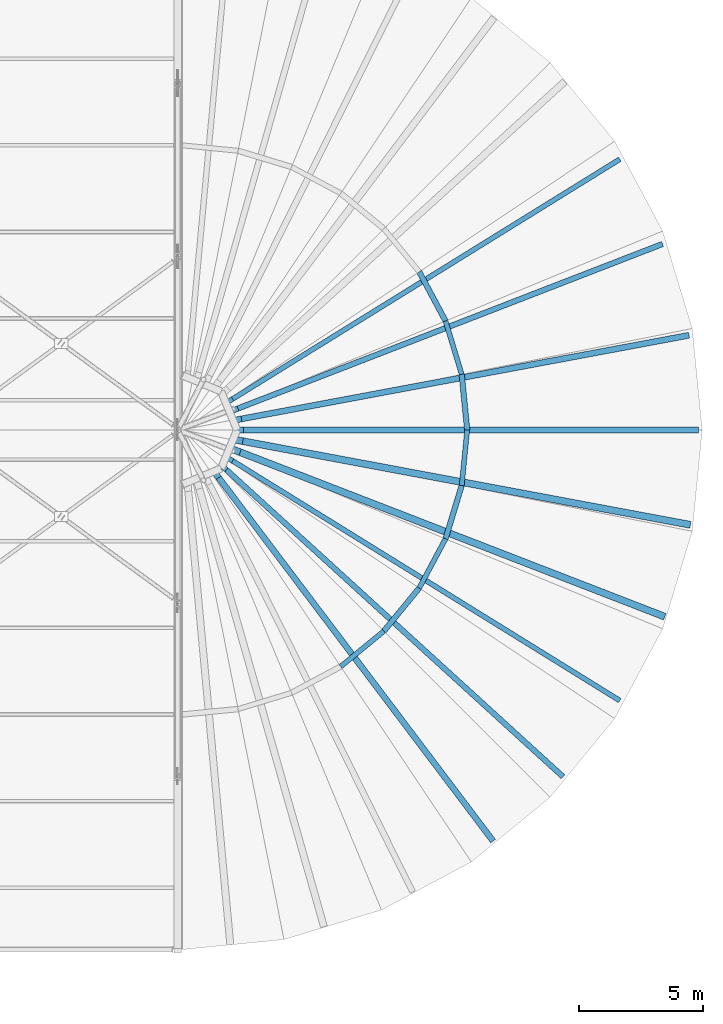
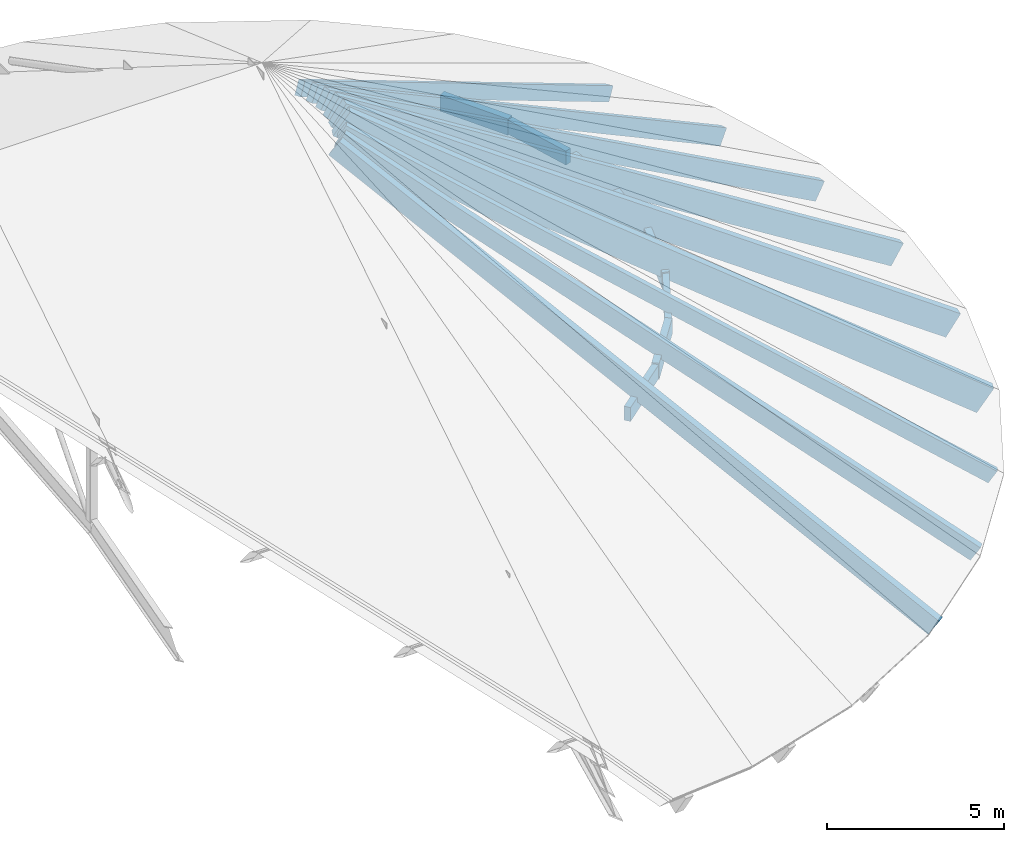
# One storey, part 17 of 66: 9 members, 8 beams.
"""IFC4 building model written with IfcOpenShell, lengths in metres."""

import ifcopenshell
import ifcopenshell.guid

model = None  # the IFC model being written
_history = None  # IfcOwnerHistory: only IFC2X3 demands one
_inside = {}  # id of a spatial element -> (the spatial element, [elements in it])
_under = {}  # id of a project, library or spatial element -> (it, [spatial elements below it])
_declared = {}  # id of a project -> (the project, [libraries it declares])
_typed = {}  # id of a type object -> (the type object, [elements of that type])
_made_of = {}  # id of a material, layer set ... -> (it, [elements and type objects made of it])


def new_model(schema):
    """Start an empty IFC model of exactly this schema.

    Asked for "IFC4X3", IfcOpenShell would pick the latest addendum, in which some entities
    have other attributes; the version numbers below select the first issue.
    IFC2X3 requires an IfcOwnerHistory on every rooted entity: one is made here for all.
    """
    global model, _history
    if schema == "IFC4X3":
        model = ifcopenshell.file(schema_version=(4, 3, 0, 0))
    else:
        model = ifcopenshell.file(schema=schema)
    _inside.clear()
    _under.clear()
    _declared.clear()
    _typed.clear()
    _made_of.clear()
    _history = None
    if model.schema == "IFC2X3":
        org = make("IfcOrganization", Name="unknown")
        user = make(
            "IfcPersonAndOrganization",
            ThePerson=make("IfcPerson", FamilyName="unknown"),
            TheOrganization=org,
        )
        app = make(
            "IfcApplication",
            ApplicationDeveloper=org,
            Version="unknown",
            ApplicationFullName="unknown",
            ApplicationIdentifier="unknown",
        )
        _history = make(
            "IfcOwnerHistory",
            OwningUser=user,
            OwningApplication=app,
            ChangeAction="ADDED",
            CreationDate=0,
        )
    return model


def make(cls, **values):
    """One entity of the class cls with the attributes given. An attribute that is None is left unset."""
    return model.create_entity(
        cls, **{name: value for name, value in values.items() if value is not None}
    )


def rooted(cls, **values):
    """An entity with a GlobalId (a new one), such as an element, a storey or a relation."""
    return make(cls, GlobalId=ifcopenshell.guid.new(), OwnerHistory=_history, **values)


def si_unit(unit_type, name, prefix=None):
    """IfcSIUnit, for example si_unit("LENGTHUNIT", "METRE", prefix="MILLI")."""
    return make("IfcSIUnit", UnitType=unit_type, Prefix=prefix, Name=name)


def assignment(units):
    """IfcUnitAssignment: the units of a project."""
    return None if units is None else make("IfcUnitAssignment", Units=units)


def point(xyz):
    """IfcCartesianPoint."""
    return None if xyz is None else make("IfcCartesianPoint", Coordinates=xyz)


def direction(xyz):
    """IfcDirection."""
    return None if xyz is None else make("IfcDirection", DirectionRatios=xyz)


def frame(location, z_axis=None, x_axis=None):
    """IfcAxis2Placement3D, a coordinate frame: its origin and axes. An axis left out is left unset."""
    return make(
        "IfcAxis2Placement3D",
        Location=point(location),
        Axis=direction(z_axis),
        RefDirection=direction(x_axis),
    )


def frame_2d(location, x_axis=None):
    """IfcAxis2Placement2D, a coordinate frame in the plane: its origin and x axis."""
    return make(
        "IfcAxis2Placement2D", Location=point(location), RefDirection=direction(x_axis)
    )


def origin():
    """The frame at (0, 0, 0) with its axes left unset."""
    return frame((0.0, 0.0, 0.0))


def origin_2d():
    """The frame at (0, 0) in the plane with its x axis left unset."""
    return frame_2d((0.0, 0.0))


def place(relative_to, where):
    """IfcLocalPlacement: puts the frame where relative to a parent placement (None: the world)."""
    return make(
        "IfcLocalPlacement", PlacementRelTo=relative_to, RelativePlacement=where
    )


def context(
    kind, dimensions, precision=None, world=None, true_north=None, identifier=None
):
    """IfcGeometricRepresentationContext, for example the 3D "Model" context."""
    return make(
        "IfcGeometricRepresentationContext",
        ContextIdentifier=identifier,
        ContextType=kind,
        CoordinateSpaceDimension=dimensions,
        Precision=precision,
        WorldCoordinateSystem=world,
        TrueNorth=true_north,
    )


def subcontext(parent, identifier, kind, view, scale=None):
    """IfcGeometricRepresentationSubContext, for example "Body" below "Model"."""
    return make(
        "IfcGeometricRepresentationSubContext",
        ContextIdentifier=identifier,
        ContextType=kind,
        ParentContext=parent,
        TargetScale=scale,
        TargetView=view,
    )


def project(units=None, contexts=None):
    """IfcProject with its units and contexts."""
    return rooted(
        "IfcProject",
        Name="project",
        RepresentationContexts=contexts,
        UnitsInContext=assignment(units),
    )


def spatial(cls, under=None, at=None, **own):
    """A site, building, storey or space (cls), placed at a placement, below another one or the project."""
    s = rooted(cls, ObjectPlacement=at, **own)
    if under is not None:
        _under.setdefault(under.id(), (under, []))[1].append(s)
    return s


def profile(cls, at=None, kind="AREA", **sizes):
    """A parametric profile (cls). Its sizes go by their IFC names, for example OverallWidth=200.0."""
    return make(cls, ProfileType=kind, Position=at, **sizes)


def rectangle(**sizes):
    """IfcRectangleProfileDef."""
    return profile("IfcRectangleProfileDef", **sizes)


def extrude(swept, where, along, depth):
    """IfcExtrudedAreaSolid: the profile swept, set in the frame where, extruded along a direction by depth."""
    return make(
        "IfcExtrudedAreaSolid",
        SweptArea=swept,
        Position=where,
        ExtrudedDirection=direction(along),
        Depth=depth,
    )


def shape(context_of_items, identifier, shape_type, items):
    """IfcShapeRepresentation: the items that make up one representation, for example the "Body"."""
    return make(
        "IfcShapeRepresentation",
        ContextOfItems=context_of_items,
        RepresentationIdentifier=identifier,
        RepresentationType=shape_type,
        Items=items,
    )


def material(Name=None, Category=None):
    """IfcMaterial."""
    return make("IfcMaterial", Name=Name, Category=Category)


def material_profile(
    of_material, cross_section, Name=None, Category=None, Priority=None
):
    """IfcMaterialProfile: a cross section and its material."""
    return make(
        "IfcMaterialProfile",
        Name=Name,
        Material=of_material,
        Profile=cross_section,
        Priority=Priority,
        Category=Category,
    )


def profile_set(profiles, Name=None, composite=None):
    """IfcMaterialProfileSet."""
    return make(
        "IfcMaterialProfileSet",
        Name=Name,
        MaterialProfiles=profiles,
        CompositeProfile=composite,
    )


def made_of(thing, what):
    """Note that an element or type object is made of a material, layer set ...; save() writes the relation."""
    if what is not None:
        _made_of.setdefault(what.id(), (what, []))[1].append(thing)
    return thing


def type_object(cls, material=None, **own):
    """A type object (cls), such as IfcWallType, which elements share."""
    return made_of(rooted(cls, **own), material)


def element(
    cls,
    number,
    at=None,
    inside=None,
    cuts=None,
    type_object=None,
    material=None,
    context=None,
    identifier="Body",
    shape_type=None,
    held_by="IfcProductDefinitionShape",
    body=None,
    shapes=None,
    **own,
):
    """One element of the class cls, such as IfcWall. Its Tag is "e" and its number.

    at: its placement. inside: the storey or other place that contains it. cuts: it is an
    opening in that element (IfcRelVoidsElement). A single representation is given by context,
    identifier, shape_type and body (its items); several are given by shapes. held_by: the class
    of the entity that holds the representations. save() writes the other relations.
    """
    e = rooted(cls, Tag="e%d" % number, ObjectPlacement=at, **own)
    if body is not None:
        shapes = [shape(context, identifier, shape_type, body)]
    if shapes is not None:
        e.Representation = make(held_by, Representations=shapes)
    if inside is not None:
        _inside.setdefault(inside.id(), (inside, []))[1].append(e)
    if cuts is not None:
        rooted(
            "IfcRelVoidsElement", RelatingBuildingElement=cuts, RelatedOpeningElement=e
        )
    if type_object is not None:
        _typed.setdefault(type_object.id(), (type_object, []))[1].append(e)
    return made_of(e, material)


def aggregate(whole, parts):
    """IfcRelAggregates: a whole, such as a stair, and the parts it consists of."""
    return rooted("IfcRelAggregates", RelatingObject=whole, RelatedObjects=parts)


def save(model, path):
    """Write the relations noted so far, then the file.

    IfcRelAggregates (storeys below a building ...), IfcRelContainedInSpatialStructure (elements
    in a storey), IfcRelDefinesByType, IfcRelAssociatesMaterial and IfcRelDeclares: one each for
    every whole, place, type object, material and project.
    """
    for whole, parts in _under.values():
        aggregate(whole, parts)
    for where, things in _inside.values():
        rooted(
            "IfcRelContainedInSpatialStructure",
            RelatedElements=things,
            RelatingStructure=where,
        )
    for kind, things in _typed.values():
        rooted("IfcRelDefinesByType", RelatedObjects=things, RelatingType=kind)
    for what, things in _made_of.values():
        rooted("IfcRelAssociatesMaterial", RelatedObjects=things, RelatingMaterial=what)
    for by, libraries in _declared.values():
        rooted("IfcRelDeclares", RelatingContext=by, RelatedDefinitions=libraries)
    model.write(path)


model = new_model("IFC4")

# Units and contexts
model_context = context("Model", 3, precision=1e-05, world=origin(), true_north=direction((0.0, 1.0)))
body_context = subcontext(model_context, "Body", "Model", "MODEL_VIEW")
ifc_project = project(units=[si_unit("LENGTHUNIT", "METRE"), si_unit("AREAUNIT", "SQUARE_METRE"), si_unit("VOLUMEUNIT", "CUBIC_METRE"), si_unit("PLANEANGLEUNIT", "RADIAN"), si_unit("MASSUNIT", "GRAM", prefix="KILO")], contexts=[model_context])

# Site, building, storey
site_placement = place(None, origin())
site = spatial("IfcSite", under=ifc_project, at=site_placement, CompositionType="ELEMENT")
building_placement = place(site_placement, origin())
building = spatial("IfcBuilding", under=site, at=building_placement, Name="Yeouljin Market Hall", CompositionType="ELEMENT")
storey_placement = place(building_placement, frame((0.0, 0.0, 23.39990234375)))
storey = spatial("IfcBuildingStorey", under=building, at=storey_placement, Name="RF", CompositionType="ELEMENT", Elevation=23.39990234375)

# Beams
ifc_material_1 = material(Name="Glulam Timber KS F 3021 10S-30B", Category="wood")
ifc_material_profile_1 = material_profile(ifc_material_1, rectangle(XDim=0.199951171875, YDim=0.47998046875, at=origin_2d()), Name="GL-200x480")
ifc_profile_set_1 = profile_set([ifc_material_profile_1], Name="Glulam Timber KS F 3021 10S-30B")
beam_type_1 = type_object("IfcBeamType", Name="Beam_GL-200x480", PredefinedType="BEAM", material=ifc_profile_set_1)
for number, where, z_axis, x_axis, name in (
    (1, (147.38916015625, 47.43798828125, -7.349853515625), (0.772914028575, 0.634510759902, 0.0), (-0.634510759902, 0.772914028575, 0.0), "Glulam apse collar beam east 04"),
    (2, (150.56201171875, 50.61083984375, -7.349853515625), (0.471307559144, 0.881968925016, 0.0), (-0.881968925016, 0.471307559144, 0.0), "Glulam apse collar beam east 06"),
):
    element("IfcBeam", number, at=place(storey_placement, frame(where, z_axis=z_axis, x_axis=x_axis)), inside=storey, type_object=beam_type_1, Name=name, PredefinedType="BEAM", context=body_context, shape_type="SweptSolid", body=[
        extrude(rectangle(XDim=0.199951171875, YDim=0.47998046875, at=origin_2d()), origin(), (0.0, 0.0, 1.0), 2.25439453125),
    ])
beam_1_placement = place(storey_placement, frame((152.279052734375, 54.756591796875, -7.349853515625), z_axis=(0.098013117446, 0.995185122883, 0.0), x_axis=(-0.995185122883, 0.098013117446, 0.0)))
element("IfcBeam", 3, at=beam_1_placement, inside=storey, type_object=beam_type_1, Name="Glulam apse collar beam east 08", PredefinedType="BEAM", context=body_context, shape_type="SweptSolid", body=[
    extrude(rectangle(XDim=0.199951171875, YDim=0.47998046875, at=origin_2d()), origin(), (0.0, 0.0, 1.0), 2.254150390625),
])
beam_2_placement = place(storey_placement, frame((152.279052734375, 59.243408203125, -7.349853515625), z_axis=(-0.290316940137, 0.9569305483, 0.0), x_axis=(-0.9569305483, -0.290316940137, 0.0)))
element("IfcBeam", 4, at=beam_2_placement, inside=storey, type_object=beam_type_1, Name="Glulam apse collar beam east 10", PredefinedType="BEAM", context=body_context, shape_type="SweptSolid", body=[
    extrude(rectangle(XDim=0.199951171875, YDim=0.47998046875, at=origin_2d()), origin(), (0.0, 0.0, 1.0), 2.254638671875),
])
ifc_material_2 = material(Name="Glulam Timber KS F 3021 10S-30B", Category="wood")
ifc_material_profile_2 = material_profile(ifc_material_2, rectangle(XDim=0.219970703125, YDim=0.56005859375, at=origin_2d()), Name="GL-220x560")
ifc_profile_set_2 = profile_set([ifc_material_profile_2], Name="Glulam Timber KS F 3021 10S-30B")
beam_type_2 = type_object("IfcBeamType", Name="Beam_GL-220x560", PredefinedType="BEAM", material=ifc_profile_set_2)
beam_3_placement = place(storey_placement, frame((149.131591796875, 48.868408203125, -7.349853515625), z_axis=(0.634510759902, 0.772914028575, 0.0), x_axis=(-0.772914028575, 0.634510759902, 0.0)))
element("IfcBeam", 5, at=beam_3_placement, inside=storey, type_object=beam_type_2, Name="Glulam apse collar beam east 05", PredefinedType="BEAM", context=body_context, shape_type="SweptSolid", body=[
    extrude(rectangle(XDim=0.219970703125, YDim=0.56005859375, at=origin_2d()), origin(), (0.0, 0.0, 1.0), 2.25439453125),
])
beam_4_placement = place(storey_placement, frame((151.62451171875, 52.59912109375, -7.349853515625), z_axis=(0.290316940137, 0.9569305483, 0.0), x_axis=(-0.9569305483, 0.290316940137, 0.0)))
element("IfcBeam", 6, at=beam_4_placement, inside=storey, type_object=beam_type_2, Name="Glulam apse collar beam east 07", PredefinedType="BEAM", context=body_context, shape_type="SweptSolid", body=[
    extrude(rectangle(XDim=0.219970703125, YDim=0.56005859375, at=origin_2d()), origin(), (0.0, 0.0, 1.0), 2.254638671875),
])
beam_5_placement = place(storey_placement, frame((152.5, 57.0, -7.349853515625), z_axis=(-0.098013117446, 0.995185122883, 0.0), x_axis=(-0.995185122883, -0.098013117446, 0.0)))
element("IfcBeam", 7, at=beam_5_placement, inside=storey, type_object=beam_type_2, Name="Glulam apse collar beam east 09", PredefinedType="BEAM", context=body_context, shape_type="SweptSolid", body=[
    extrude(rectangle(XDim=0.219970703125, YDim=0.56005859375, at=origin_2d()), origin(), (0.0, 0.0, 1.0), 2.254150390625),
])
beam_6_placement = place(storey_placement, frame((151.62451171875, 61.40087890625, -7.349853515625), z_axis=(-0.471307559144, 0.881968925016, 0.0), x_axis=(-0.881968925016, -0.471307559144, 0.0)))
element("IfcBeam", 8, at=beam_6_placement, inside=storey, type_object=beam_type_2, Name="Glulam apse collar beam east 11", PredefinedType="BEAM", context=body_context, shape_type="SweptSolid", body=[
    extrude(rectangle(XDim=0.219970703125, YDim=0.56005859375, at=origin_2d()), origin(), (0.0, 0.0, 1.0), 2.25439453125),
])

# Members
ifc_material_3 = material(Name="Glulam Timber KS F 3021 10S-30B", Category="wood")
ifc_material_profile_3 = material_profile(ifc_material_3, rectangle(XDim=0.199951171875, YDim=0.47998046875, at=origin_2d()), Name="GL-200x480")
ifc_profile_set_3 = profile_set([ifc_material_profile_3], Name="Glulam Timber KS F 3021 10S-30B")
member_type_1 = type_object("IfcMemberType", Name="Rafter_GL-200x480", PredefinedType="RAFTER", material=ifc_profile_set_3)
for number, where, z_axis, x_axis, name in (
    (9, (158.556884765625, 46.129150390625, -12.579833984375), (-0.720626806266, 0.446195491965, 0.530666174766), (-0.526434093766, -0.850215940171, 0.0), "Fanned glulam apse rafter east 06"),
    (10, (158.556884765625, 67.870849609375, -12.579833984375), (-0.720626806266, -0.446195491965, 0.530666174766), (0.526434093766, -0.850215940171, 0.0), "Fanned glulam apse rafter east 12"),
):
    element("IfcMember", number, at=place(storey_placement, frame(where, z_axis=z_axis, x_axis=x_axis)), inside=storey, type_object=member_type_1, Name=name, PredefinedType="RAFTER", context=body_context, shape_type="SweptSolid", body=[
        extrude(rectangle(XDim=0.199951171875, YDim=0.47998046875, at=origin_2d()), origin(), (0.0, 0.0, 1.0), 21.70849609375),
    ])
ifc_material_4 = material(Name="Glulam Timber KS F 3021 10S-30B", Category="wood")
ifc_material_profile_4 = material_profile(ifc_material_4, rectangle(XDim=0.219970703125, YDim=0.56005859375, at=origin_2d()), Name="GL-220x560")
ifc_profile_set_4 = profile_set([ifc_material_profile_4], Name="Glulam Timber KS F 3021 10S-30B")
member_type_2 = type_object("IfcMemberType", Name="Rafter_GL-220x560", PredefinedType="RAFTER", material=ifc_profile_set_4)
for number, where, z_axis, x_axis, name in (
    (11, (156.260498046875, 43.088134765625, -12.579833984375), (-0.626368866513, 0.571015024927, 0.530663626388), (-0.673698449948, -0.739006358929, 0.0), "Fanned glulam apse rafter east 05"),
    (12, (160.255615234375, 64.459716796875, -12.579833984375), (-0.790346428268, -0.306187968411, 0.530661333925), (0.361247955654, -0.932469792827, 0.0), "Fanned glulam apse rafter east 11"),
):
    element("IfcMember", number, at=place(storey_placement, frame(where, z_axis=z_axis, x_axis=x_axis)), inside=storey, type_object=member_type_2, Name=name, PredefinedType="RAFTER", context=body_context, shape_type="SweptSolid", body=[
        extrude(rectangle(XDim=0.219970703125, YDim=0.56005859375, at=origin_2d()), origin(), (0.0, 0.0, 1.0), 21.708740234375),
    ])
ifc_material_5 = material(Name="Glulam Timber KS F 3021 10S-30B", Category="wood")
ifc_material_profile_5 = material_profile(ifc_material_5, rectangle(XDim=0.239990234375, YDim=0.639892578125, at=origin_2d()), Name="GL-240x640")
ifc_profile_set_5 = profile_set([ifc_material_profile_5], Name="Glulam Timber KS F 3021 10S-30B")
member_type_3 = type_object("IfcMemberType", Name="Rafter_GL-240x640", PredefinedType="RAFTER", material=ifc_profile_set_5)
for number, where, z_axis, x_axis, name in (
    (13, (153.4443359375, 40.52099609375, -12.579833984375), (-0.510778649945, 0.676389782075, 0.530661882432), (-0.798021314384, -0.602629224141, 0.0), "Fanned glulam apse rafter east 04"),
    (14, (161.29833984375, 60.79443359375, -12.579833984375), (-0.833150691418, -0.155748335319, 0.530662210295), (0.183755764294, -0.982971931994, 0.0), "Fanned glulam apse rafter east 10"),
):
    element("IfcMember", number, at=place(storey_placement, frame(where, z_axis=z_axis, x_axis=x_axis)), inside=storey, type_object=member_type_3, Name=name, PredefinedType="RAFTER", context=body_context, shape_type="SweptSolid", body=[
        extrude(rectangle(XDim=0.239990234375, YDim=0.639892578125, at=origin_2d()), origin(), (0.0, 0.0, 1.0), 21.708740234375),
    ])
ifc_material_6 = material(Name="Glulam Timber KS F 3021 10S-30B", Category="wood")
ifc_material_profile_6 = material_profile(ifc_material_6, rectangle(XDim=0.239990234375, YDim=0.760009765625, at=origin_2d()), Name="GL-240x760")
ifc_profile_set_6 = profile_set([ifc_material_profile_6], Name="Glulam Timber KS F 3021 10S-30B")
member_type_4 = type_object("IfcMemberType", Name="Rafter_GL-240x760", PredefinedType="RAFTER", material=ifc_profile_set_6)
member_1_placement = place(storey_placement, frame((161.64990234375, 57.0, -12.579833984375), z_axis=(-0.847582312221, 0.0, 0.530663946401), x_axis=(0.0, -1.0, 0.0)))
element("IfcMember", 15, at=member_1_placement, inside=storey, type_object=member_type_4, Name="Fanned glulam apse rafter east 09", PredefinedType="RAFTER", context=body_context, shape_type="SweptSolid", body=[
    extrude(rectangle(XDim=0.239990234375, YDim=0.760009765625, at=origin_2d()), origin(), (0.0, 0.0, 1.0), 21.708740234375),
])
ifc_material_7 = material(Name="Glulam Timber KS F 3021 10S-30B", Category="wood")
ifc_material_profile_7 = material_profile(ifc_material_7, rectangle(XDim=0.280029296875, YDim=0.840087890625, at=origin_2d()), Name="GL-280x840")
ifc_profile_set_7 = profile_set([ifc_material_profile_7], Name="Glulam Timber KS F 3021 10S-30B")
member_type_5 = type_object("IfcMemberType", Name="Rafter_GL-280x840", PredefinedType="RAFTER", material=ifc_profile_set_7)
member_2_placement = place(storey_placement, frame((161.29833984375, 53.20556640625, -12.579833984375), z_axis=(-0.833150691418, 0.155748335319, 0.530662210295), x_axis=(-0.183755764294, -0.982971931994, 0.0)))
element("IfcMember", 16, at=member_2_placement, inside=storey, type_object=member_type_5, Name="Fanned glulam apse rafter east 08", PredefinedType="RAFTER", context=body_context, shape_type="SweptSolid", body=[
    extrude(rectangle(XDim=0.280029296875, YDim=0.840087890625, at=origin_2d()), origin(), (0.0, 0.0, 1.0), 21.708740234375),
])
ifc_material_8 = material(Name="Glulam Timber KS F 3021 10S-30B", Category="wood")
ifc_material_profile_8 = material_profile(ifc_material_8, rectangle(XDim=0.280029296875, YDim=0.919921875, at=origin_2d()), Name="GL-280x920")
ifc_profile_set_8 = profile_set([ifc_material_profile_8], Name="Glulam Timber KS F 3021 10S-30B")
member_type_6 = type_object("IfcMemberType", Name="Rafter_GL-280x920", PredefinedType="RAFTER", material=ifc_profile_set_8)
member_3_placement = place(storey_placement, frame((160.255615234375, 49.540283203125, -12.579833984375), z_axis=(-0.790346428268, 0.306187968411, 0.530661333925), x_axis=(-0.361247955654, -0.932469792827, 0.0)))
element("IfcMember", 17, at=member_3_placement, inside=storey, type_object=member_type_6, Name="Fanned glulam apse rafter east 07", PredefinedType="RAFTER", context=body_context, shape_type="SweptSolid", body=[
    extrude(rectangle(XDim=0.280029296875, YDim=0.919921875, at=origin_2d()), origin(), (0.0, 0.0, 1.0), 21.708740234375),
])

save(model, "model.ifc")
